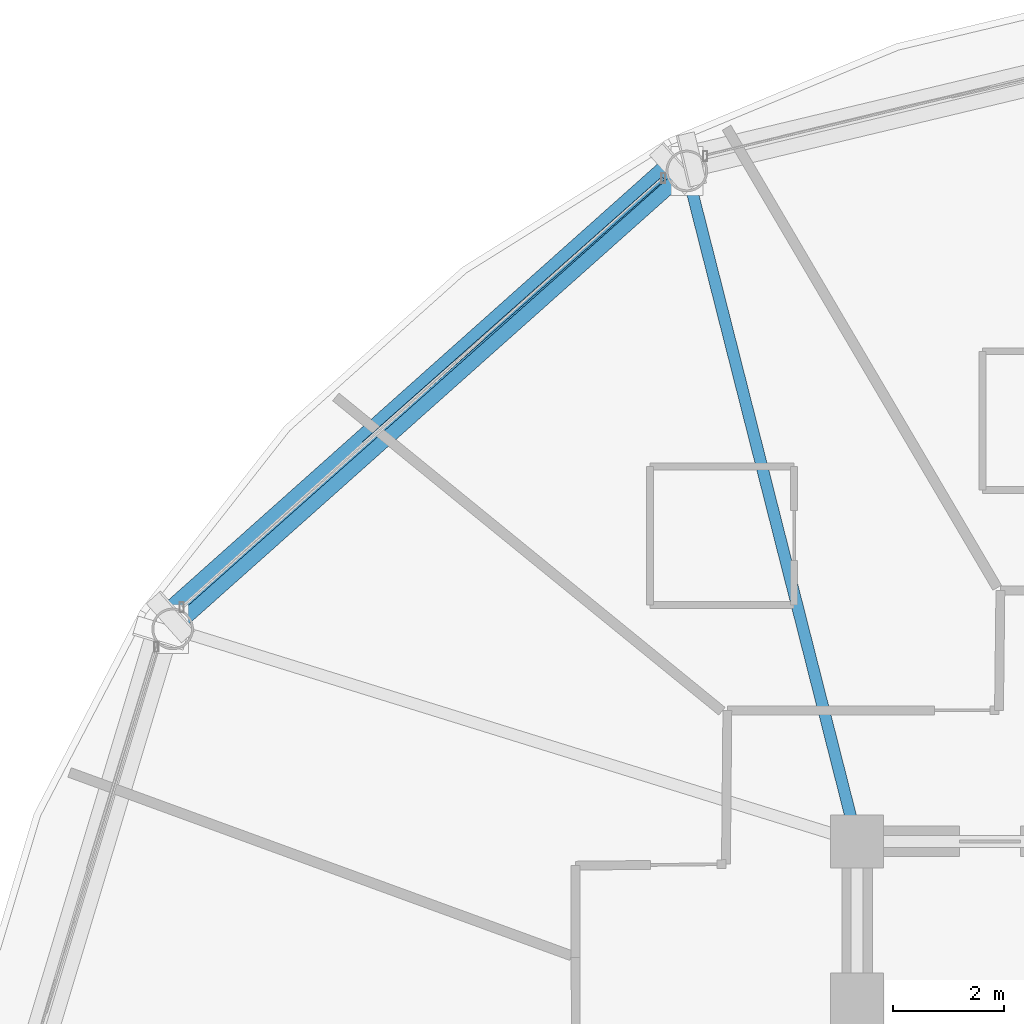
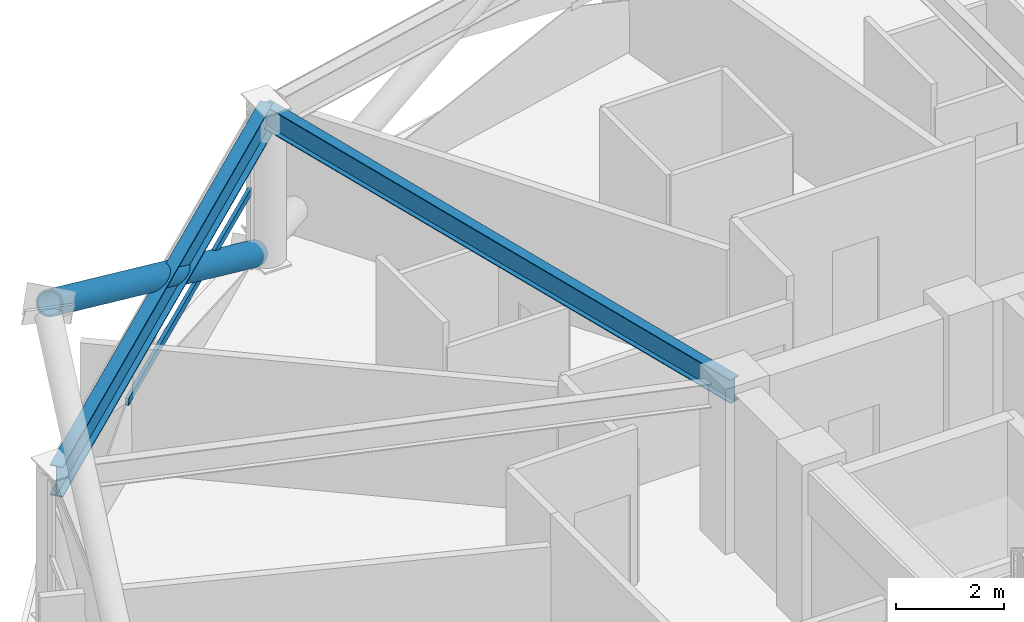
# One storey, part 14 of 30: 2 beams, 2 members, 1 element without a shape of its own.
"""IFC4 building model written with IfcOpenShell, lengths in metres."""

from ifc_helpers import new_model, si_unit, direction, frame, origin, origin_2d, place, context, subcontext, project, spatial, hollow_rectangle, hollow_circle, i_section, extrude, material, layer, layer_set, material_profile, profile_set, type_object, element, aggregate, save


model = new_model("IFC4")

# Units and contexts
model_context = context("Model", 3, precision=1e-05, world=origin(), true_north=direction((0.0, 1.0)))
body_context = subcontext(model_context, "Body", "Model", "MODEL_VIEW")
ifc_project = project(units=[si_unit("LENGTHUNIT", "METRE"), si_unit("AREAUNIT", "SQUARE_METRE"), si_unit("VOLUMEUNIT", "CUBIC_METRE"), si_unit("PLANEANGLEUNIT", "RADIAN"), si_unit("MASSUNIT", "GRAM", prefix="KILO")], contexts=[model_context])

# Site, building, storey
site_placement = place(None, origin())
site = spatial("IfcSite", under=ifc_project, at=site_placement, CompositionType="ELEMENT")
building_placement = place(site_placement, origin())
building = spatial("IfcBuilding", under=site, at=building_placement, Name="Vantalir Tower", CompositionType="ELEMENT")
storey_placement = place(building_placement, frame((0.0, 0.0, 119.699951171875)))
storey = spatial("IfcBuildingStorey", under=building, at=storey_placement, Name="L29", CompositionType="ELEMENT", Elevation=119.699951171875)

# Beams
ifc_material_1 = material(Name="Steel S355", Category="steel")
ifc_material_profile_1 = material_profile(ifc_material_1, i_section(OverallWidth=0.2109375, OverallDepth=0.5390625, WebThickness=0.01171875, FlangeThickness=0.018798828125, at=origin_2d()), Name="Steel S355")
ifc_profile_set_1 = profile_set([ifc_material_profile_1], Name="Steel S355")
beam_type_1 = type_object("IfcBeamType", Name="BM-RB-533x210", PredefinedType="BEAM", material=ifc_profile_set_1)
beam_1_placement = place(storey_placement, frame((18.830078125, 44.54296875, 3.300048828125), z_axis=(0.246047052435, -0.969257885182, 0.0), x_axis=(0.969257885182, 0.246047052435, 0.0)))
element("IfcBeam", 1, at=beam_1_placement, inside=storey, type_object=beam_type_1, Name="L29 Radial Floor Beam 05", PredefinedType="BEAM", context=body_context, shape_type="SweptSolid", body=[
    extrude(i_section(OverallWidth=0.2109375, OverallDepth=0.5390625, WebThickness=0.01171875, FlangeThickness=0.018798828125, at=origin_2d()), origin(), (0.0, 0.0, 1.0), 12.4765625),
])
ifc_material_2 = material(Name="Steel S460", Category="steel")
ifc_material_profile_2 = material_profile(ifc_material_2, i_section(OverallWidth=0.256103515625, OverallDepth=0.693115234375, WebThickness=0.014404296875, FlangeThickness=0.023681640625, at=origin_2d()), Name="Steel S460")
ifc_profile_set_2 = profile_set([ifc_material_profile_2], Name="Steel S460")
beam_type_2 = type_object("IfcBeamType", Name="BM-RG-686x254", PredefinedType="USERDEFINED", material=ifc_profile_set_2)
beam_2_placement = place(storey_placement, frame((18.830078125, 44.54296875, 3.22314453125), z_axis=(-0.746791899704, -0.665057785862, 0.0), x_axis=(0.665057785862, -0.746791899704, 0.0)))
element("IfcBeam", 2, at=beam_2_placement, inside=storey, type_object=beam_type_2, Name="L29 Circumferential Ring Girder 05", ObjectType="GIRDER", PredefinedType="USERDEFINED", context=body_context, shape_type="SweptSolid", body=[
    extrude(i_section(OverallWidth=0.256103515625, OverallDepth=0.693115234375, WebThickness=0.014404296875, FlangeThickness=0.023681640625, at=origin_2d()), origin(), (0.0, 0.0, 1.0), 12.419921875),
])

# Curtain wall, member
ifc_material_3 = material(Name="Champagne-silver PVDF aluminium and double-silver Low-E glass", Category="aluminium")
ifc_layer = layer(ifc_material_3, 0.199951171875)
ifc_layer_set = layer_set([ifc_layer], Name="Champagne-silver PVDF aluminium and double-silver Low-E glass")
curtain_wall_type = type_object("IfcCurtainWallType", Name="CW-DIAMOND-Z2", PredefinedType="USERDEFINED", material=ifc_layer_set)
curtain_wall_placement = place(storey_placement, origin())
curtain_wall = element("IfcCurtainWall", 3, at=curtain_wall_placement, inside=storey, type_object=curtain_wall_type, Name="L29 Quilted Pyramid-Diamond Curtain Wall S05", ObjectType="UNITISED CURTAIN WALL", PredefinedType="USERDEFINED")
ifc_material_4 = material(Name="Champagne-silver PVDF aluminium 6063-T6", Category="aluminium")
ifc_material_profile_3 = material_profile(ifc_material_4, hollow_rectangle(XDim=0.074951171875, YDim=0.159912109375, WallThickness=0.00390625, at=origin_2d()), Name="Champagne-silver PVDF aluminium 6063-T6")
ifc_profile_set_3 = profile_set([ifc_material_profile_3], Name="Champagne-silver PVDF aluminium 6063-T6")
member_type_1 = type_object("IfcMemberType", Name="CWT-160x75", PredefinedType="USERDEFINED", material=ifc_profile_set_3)
member_1_placement = place(storey_placement, frame((18.406982421875, 44.4140625, 1.78515625), z_axis=(-0.7487286604, -0.662876604728, 0.0), x_axis=(0.662876604728, -0.7487286604, 0.0)))
member_1 = element("IfcMember", 4, at=member_1_placement, type_object=member_type_1, Name="CW-L29-S05 Pyramid Fold Ridge Transom", ObjectType="TRANSOM", PredefinedType="USERDEFINED", context=body_context, shape_type="SweptSolid", body=[
    extrude(hollow_rectangle(XDim=0.074951171875, YDim=0.159912109375, WallThickness=0.00390625, at=origin_2d()), origin(), (0.0, 0.0, 1.0), 7.22021484375),
])
aggregate(curtain_wall, [member_1])

# Member
ifc_material_profile_4 = material_profile(ifc_material_2, hollow_circle(Radius=0.260009765625, WallThickness=0.0380859375, at=origin_2d()), Name="Steel S460")
ifc_profile_set_4 = profile_set([ifc_material_profile_4], Name="Steel S460")
member_type_2 = type_object("IfcMemberType", Name="MEM-DB-520x38", PredefinedType="BRACE", material=ifc_profile_set_4)
member_2_placement = place(storey_placement, frame((18.592041015625, 44.580078125, 0.18896484375), z_axis=(-0.64795553905, -0.577582531386, 0.496540067722), x_axis=(0.665407081999, -0.746480686439, 0.0)))
element("IfcMember", 5, at=member_2_placement, inside=storey, type_object=member_type_2, Name="L29 Perimeter S460 Diagrid Brace R13L", PredefinedType="BRACE", context=body_context, shape_type="SweptSolid", body=[
    extrude(hollow_circle(Radius=0.260009765625, WallThickness=0.0380859375, at=origin_2d()), origin(), (0.0, 0.0, 1.0), 13.98095703125),
])

save(model, "model.ifc")
